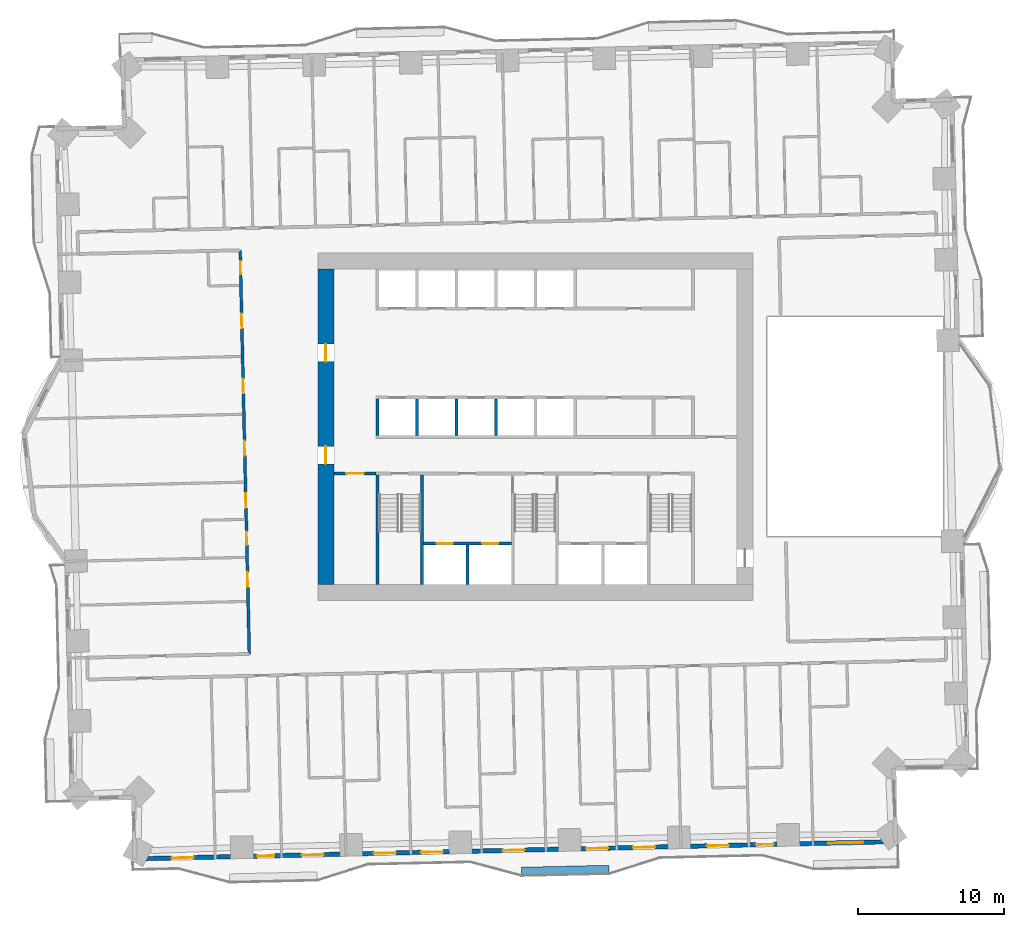
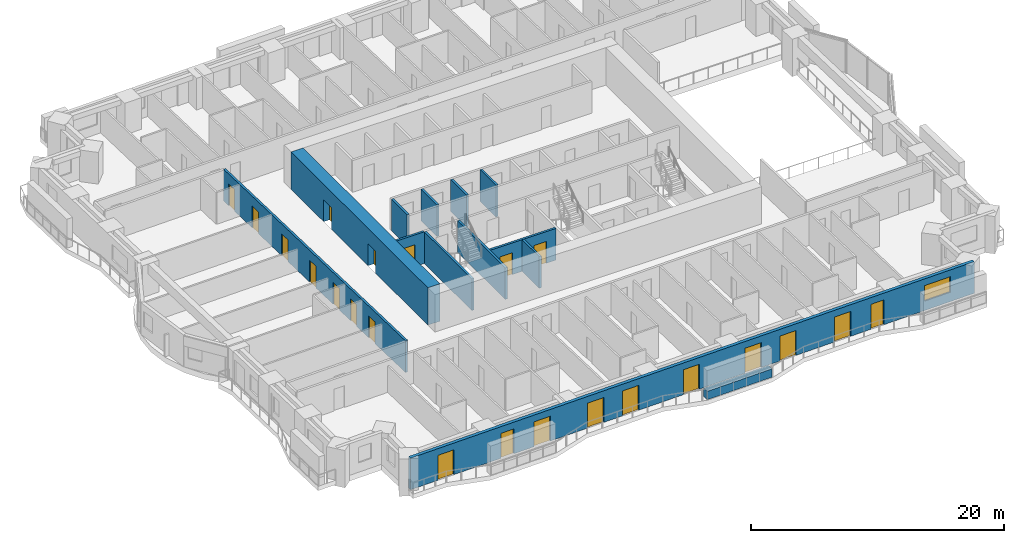
# One storey, part 6 of 16: 22 doors, 13 walls, 1 window, 23 openings.
"""IFC4 building model written with IfcOpenShell, lengths in metres."""

from ifc_helpers import new_model, si_unit, direction, frame, frame_2d, origin, place, context, subcontext, project, spatial, rectangle, extrude, material, layer, layer_set, type_object, element, fill, save


model = new_model("IFC4")

# Units and contexts
model_context = context("Model", 3, precision=1e-05, world=origin(), true_north=direction((0.0, 1.0)))
body_context = subcontext(model_context, "Body", "Model", "MODEL_VIEW")
ifc_project = project(units=[si_unit("LENGTHUNIT", "METRE"), si_unit("AREAUNIT", "SQUARE_METRE"), si_unit("VOLUMEUNIT", "CUBIC_METRE"), si_unit("PLANEANGLEUNIT", "RADIAN"), si_unit("MASSUNIT", "GRAM", prefix="KILO")], contexts=[model_context])

# Site, building, storey
site_placement = place(None, origin())
site = spatial("IfcSite", under=ifc_project, at=site_placement, CompositionType="ELEMENT")
building_placement = place(site_placement, origin())
building = spatial("IfcBuilding", under=site, at=building_placement, Name="Mangrove Gate Tower", CompositionType="ELEMENT")
storey_placement = place(building_placement, frame((0.0, 0.0, 34.10009765625)))
storey = spatial("IfcBuildingStorey", under=building, at=storey_placement, Name="L07", CompositionType="ELEMENT", Elevation=34.10009765625)

# Wall, opening, door
ifc_material_1 = material(Name="Concrete C32/40", Category="concrete")
ifc_layer_1 = layer(ifc_material_1, 0.199951171875)
ifc_layer_set_1 = layer_set([ifc_layer_1], Name="Core lobby wall 200 C32/40")
wall_type_1 = type_object("IfcWallType", Name="Core lobby wall 200 C32/40", PredefinedType="STANDARD", material=ifc_layer_set_1)
wall_1_placement = place(storey_placement, frame((-13.800048828125, -3.199951171875, 0.0), z_axis=(0.0, 0.0, 1.0), x_axis=(1.0, 0.0, 0.0)))
wall_1 = element("IfcWall", 1, at=wall_1_placement, inside=storey, type_object=wall_type_1, Name="WALL-L07-CORE-34", PredefinedType="STANDARD", context=body_context, shape_type="SweptSolid", body=[
    extrude(rectangle(XDim=2.900146484375, YDim=0.199951171875, at=frame_2d((1.4501953125, 0.0))), origin(), (0.0, 0.0, 1.0), 3.0498046875),
])
opening_1_placement = place(wall_1_placement, frame((0.85009765625, 0.0, 0.0)))
opening_1 = element("IfcOpeningElement", 2, at=opening_1_placement, cuts=wall_1, Name="Opening FL12", PredefinedType="OPENING", context=body_context, shape_type="SweptSolid", body=[
    extrude(rectangle(XDim=1.199951171875, YDim=2.10009765625, at=frame_2d((0.60009765625, 1.050048828125))), frame((0.0, 0.10986328125, 0.0), z_axis=(0.0, -1.0, 0.0), x_axis=(1.0, 0.0, 0.0)), (0.0, 0.0, 1.0), 0.219970703125),
])
ifc_material_2 = material(Name="Fire-rated steel door set", Category="steel")
door_type_1 = type_object("IfcDoorType", Name="Lobby door FD60 1200x2100", OperationType="SINGLE_SWING_LEFT", PredefinedType="DOOR", material=ifc_material_2)
door_1_placement = place(opening_1_placement, origin())
door_1 = element("IfcDoor", 3, at=door_1_placement, inside=storey, type_object=door_type_1, Name="Lobby door core corridor W partition", OperationType="SINGLE_SWING_LEFT", OverallHeight=2.10009765625, OverallWidth=1.199951171875, PredefinedType="DOOR", context=body_context, shape_type="SweptSolid", body=[
    extrude(rectangle(XDim=1.199951171875, YDim=2.10009765625, at=frame_2d((0.60009765625, 1.050048828125))), frame((0.0, 0.02490234375, 0.0), z_axis=(0.0, -1.0, 0.0), x_axis=(1.0, 0.0, 0.0)), (0.0, 0.0, 1.0), 0.050048828125),
])
fill(opening_1, door_1)

# Wall, openings, doors
ifc_material_3 = material(Name="Concrete C70/85", Category="concrete")
ifc_layer_2 = layer(ifc_material_3, 0.199951171875)
ifc_layer_set_2 = layer_set([ifc_layer_2], Name="Core shaft wall 200 C70/85")
wall_type_2 = type_object("IfcWallType", Name="Core shaft wall 200 C70/85", PredefinedType="SHEAR", material=ifc_layer_set_2)
wall_2_placement = place(storey_placement, frame((-7.64990234375, -8.0, 0.0), z_axis=(0.0, 0.0, 1.0), x_axis=(1.0, 0.0, 0.0)))
wall_2 = element("IfcWall", 4, at=wall_2_placement, inside=storey, type_object=wall_type_2, Name="WALL-L07-CORE-15", PredefinedType="SHEAR", context=body_context, shape_type="SweptSolid", body=[
    extrude(rectangle(XDim=6.0, YDim=0.199951171875, at=frame_2d((3.0, 0.0))), origin(), (0.0, 0.0, 1.0), 3.0498046875),
])
opening_2_placement = place(wall_2_placement, frame((0.89990234375, 0.0, 0.0)))
opening_2 = element("IfcOpeningElement", 5, at=opening_2_placement, cuts=wall_2, Name="Opening LD", PredefinedType="OPENING", context=body_context, shape_type="SweptSolid", body=[
    extrude(rectangle(XDim=1.10009765625, YDim=2.10009765625, at=frame_2d((0.550048828125, 1.050048828125))), frame((0.0, 0.10986328125, 0.0), z_axis=(0.0, -1.0, 0.0), x_axis=(1.0, 0.0, 0.0)), (0.0, 0.0, 1.0), 0.219970703125),
])
opening_3_placement = place(wall_2_placement, frame((4.0, 0.0, 0.0)))
opening_3 = element("IfcOpeningElement", 6, at=opening_3_placement, cuts=wall_2, Name="Opening LD", PredefinedType="OPENING", context=body_context, shape_type="SweptSolid", body=[
    extrude(rectangle(XDim=1.10009765625, YDim=2.10009765625, at=frame_2d((0.550048828125, 1.050048828125))), frame((0.0, 0.10986328125, 0.0), z_axis=(0.0, -1.0, 0.0), x_axis=(1.0, 0.0, 0.0)), (0.0, 0.0, 1.0), 0.219970703125),
])
ifc_material_4 = material(Name="Stainless steel 316", Category="steel")
door_type_2 = type_object("IfcDoorType", Name="Lift landing door 1100x2100", OperationType="SLIDING_TO_LEFT", PredefinedType="DOOR", material=ifc_material_4)
door_2_placement = place(opening_2_placement, origin())
door_2 = element("IfcDoor", 7, at=door_2_placement, inside=storey, type_object=door_type_2, Name="Landing door LD SVL1", OperationType="SLIDING_TO_LEFT", OverallHeight=2.10009765625, OverallWidth=1.10009765625, PredefinedType="DOOR", context=body_context, shape_type="SweptSolid", body=[
    extrude(rectangle(XDim=1.10009765625, YDim=2.10009765625, at=frame_2d((0.550048828125, 1.050048828125))), frame((0.0, 0.02490234375, 0.0), z_axis=(0.0, -1.0, 0.0), x_axis=(1.0, 0.0, 0.0)), (0.0, 0.0, 1.0), 0.050048828125),
])
fill(opening_2, door_2)
door_3_placement = place(opening_3_placement, origin())
door_3 = element("IfcDoor", 8, at=door_3_placement, inside=storey, type_object=door_type_2, Name="Landing door LD SVL2", OperationType="SLIDING_TO_LEFT", OverallHeight=2.10009765625, OverallWidth=1.10009765625, PredefinedType="DOOR", context=body_context, shape_type="SweptSolid", body=[
    extrude(rectangle(XDim=1.10009765625, YDim=2.10009765625, at=frame_2d((0.550048828125, 1.050048828125))), frame((0.0, 0.02490234375, 0.0), z_axis=(0.0, -1.0, 0.0), x_axis=(1.0, 0.0, 0.0)), (0.0, 0.0, 1.0), 0.050048828125),
])
fill(opening_3, door_3)

# Walls
wall_3_placement = place(storey_placement, frame((-4.64990234375, -10.800048828125, 0.0), z_axis=(0.0, 0.0, 1.0), x_axis=(0.0, 1.0, 0.0)))
element("IfcWall", 9, at=wall_3_placement, inside=storey, type_object=wall_type_2, Name="WALL-L07-CORE-16", PredefinedType="SHEAR", context=body_context, shape_type="SweptSolid", body=[
    extrude(rectangle(XDim=2.699951171875, YDim=0.199951171875, at=frame_2d((1.35009765625, 0.0))), origin(), (0.0, 0.0, 1.0), 3.0498046875),
])
for number, where, z_axis, x_axis, name in (
    (10, (-10.800048828125, -0.60009765625, 0.0), (0.0, 0.0, 1.0), (0.0, 1.0, 0.0), "WALL-L07-CORE-19"),
    (11, (-8.10009765625, -0.60009765625, 0.0), (0.0, 0.0, 1.0), (0.0, 1.0, 0.0), "WALL-L07-CORE-20"),
    (12, (-5.39990234375, -0.60009765625, 0.0), (0.0, 0.0, 1.0), (0.0, 1.0, 0.0), "WALL-L07-CORE-21"),
    (13, (-2.699951171875, -0.60009765625, 0.0), (0.0, 0.0, 1.0), (0.0, 1.0, 0.0), "WALL-L07-CORE-22"),
):
    element("IfcWall", number, at=place(storey_placement, frame(where, z_axis=z_axis, x_axis=x_axis)), inside=storey, type_object=wall_type_2, Name=name, PredefinedType="SHEAR", context=body_context, shape_type="SweptSolid", body=[
        extrude(rectangle(XDim=2.5, YDim=0.199951171875, at=frame_2d((1.25, 0.0))), origin(), (0.0, 0.0, 1.0), 3.0498046875),
    ])
ifc_material_5 = material(Name="Concrete C70/85", Category="concrete")
ifc_layer_3 = layer(ifc_material_5, 0.199951171875)
ifc_layer_set_3 = layer_set([ifc_layer_3], Name="Core stair wall 200 C70/85")
wall_type_3 = type_object("IfcWallType", Name="Core stair wall 200 C70/85", PredefinedType="SHEAR", material=ifc_layer_set_3)
for number, where, z_axis, x_axis, name in (
    (14, (-10.800048828125, -10.800048828125, 0.0), (0.0, 0.0, 1.0), (0.0, 1.0, 0.0), "WALL-L07-CORE-9"),
    (15, (-7.75, -10.800048828125, 0.0), (0.0, 0.0, 1.0), (0.0, 1.0, 0.0), "WALL-L07-CORE-10"),
):
    element("IfcWall", number, at=place(storey_placement, frame(where, z_axis=z_axis, x_axis=x_axis)), inside=storey, type_object=wall_type_3, Name=name, PredefinedType="SHEAR", context=body_context, shape_type="SweptSolid", body=[
        extrude(rectangle(XDim=7.5, YDim=0.199951171875, at=frame_2d((3.75, 0.0))), origin(), (0.0, 0.0, 1.0), 3.0498046875),
    ])

# Wall, openings, doors
ifc_material_6 = material(Name="Concrete C70/85", Category="concrete")
ifc_layer_4 = layer(ifc_material_6, 1.10009765625)
ifc_layer_set_4 = layer_set([ifc_layer_4], Name="Core wall 1100 C70/85")
wall_type_4 = type_object("IfcWallType", Name="Core wall 1100 C70/85", PredefinedType="SHEAR", material=ifc_layer_set_4)
wall_4_placement = place(storey_placement, frame((-14.35009765625, -10.800048828125, 0.0), z_axis=(0.0, 0.0, 1.0), x_axis=(0.0, 1.0, 0.0)))
wall_4 = element("IfcWall", 16, at=wall_4_placement, inside=storey, type_object=wall_type_4, Name="WALL-L07-CORE-3", PredefinedType="SHEAR", context=body_context, shape_type="SweptSolid", body=[
    extrude(rectangle(XDim=21.60009765625, YDim=1.10009765625, at=frame_2d((10.800048828125, 0.0))), origin(), (0.0, 0.0, 1.0), 3.599853515625),
])
opening_4_placement = place(wall_4_placement, frame((8.25, 0.0, 0.0)))
opening_4 = element("IfcOpeningElement", 17, at=opening_4_placement, cuts=wall_4, Name="Opening CD", PredefinedType="OPENING", context=body_context, shape_type="SweptSolid", body=[
    extrude(rectangle(XDim=1.199951171875, YDim=2.10009765625, at=frame_2d((0.60009765625, 1.050048828125))), frame((0.0, 0.56005859375, 0.0), z_axis=(0.0, -1.0, 0.0), x_axis=(1.0, 0.0, 0.0)), (0.0, 0.0, 1.0), 1.1201171875),
])
opening_5_placement = place(wall_4_placement, frame((15.25, 0.0, 0.0)))
opening_5 = element("IfcOpeningElement", 18, at=opening_5_placement, cuts=wall_4, Name="Opening CD", PredefinedType="OPENING", context=body_context, shape_type="SweptSolid", body=[
    extrude(rectangle(XDim=1.199951171875, YDim=2.10009765625, at=frame_2d((0.60009765625, 1.050048828125))), frame((0.0, 0.56005859375, 0.0), z_axis=(0.0, -1.0, 0.0), x_axis=(1.0, 0.0, 0.0)), (0.0, 0.0, 1.0), 1.1201171875),
])
ifc_material_7 = material(Name="Fire-rated steel door set", Category="steel")
door_type_3 = type_object("IfcDoorType", Name="Core ring door FD60 1200x2100", OperationType="DOUBLE_DOOR_SINGLE_SWING", PredefinedType="DOOR", material=ifc_material_7)
door_4_placement = place(opening_4_placement, origin())
door_4 = element("IfcDoor", 19, at=door_4_placement, inside=storey, type_object=door_type_3, Name="Core ring door W1", OperationType="DOUBLE_DOOR_SINGLE_SWING", OverallHeight=2.10009765625, OverallWidth=1.199951171875, PredefinedType="DOOR", context=body_context, shape_type="SweptSolid", body=[
    extrude(rectangle(XDim=1.199951171875, YDim=2.10009765625, at=frame_2d((0.60009765625, 1.050048828125))), frame((0.0, 0.02490234375, 0.0), z_axis=(0.0, -1.0, 0.0), x_axis=(1.0, 0.0, 0.0)), (0.0, 0.0, 1.0), 0.050048828125),
])
fill(opening_4, door_4)
door_5_placement = place(opening_5_placement, origin())
door_5 = element("IfcDoor", 20, at=door_5_placement, inside=storey, type_object=door_type_3, Name="Core ring door W2", OperationType="DOUBLE_DOOR_SINGLE_SWING", OverallHeight=2.10009765625, OverallWidth=1.199951171875, PredefinedType="DOOR", context=body_context, shape_type="SweptSolid", body=[
    extrude(rectangle(XDim=1.199951171875, YDim=2.10009765625, at=frame_2d((0.60009765625, 1.050048828125))), frame((0.0, 0.02490234375, 0.0), z_axis=(0.0, -1.0, 0.0), x_axis=(1.0, 0.0, 0.0)), (0.0, 0.0, 1.0), 0.050048828125),
])
fill(opening_5, door_5)

ifc_material_8 = material(Name="Gypsum board on steel stud, EI 60", Category="steel")
ifc_layer_5 = layer(ifc_material_8, 0.199951171875)
ifc_layer_set_5 = layer_set([ifc_layer_5], Name="Corridor wall EI 60")
wall_type_5 = type_object("IfcWallType", Name="Corridor wall EI 60", PredefinedType="PARTITIONING", material=ifc_layer_set_5)
wall_5_placement = place(storey_placement, frame((-19.589111328125, -15.56201171875, 0.0), z_axis=(0.0, 0.0, 1.0), x_axis=(-0.02267447203, 0.999742901109, 0.0)))
wall_5 = element("IfcWall", 21, at=wall_5_placement, inside=storey, type_object=wall_type_5, Name="WALL-L07-036", PredefinedType="PARTITIONING", context=body_context, shape_type="SweptSolid", body=[
    extrude(rectangle(XDim=27.650146484375, YDim=0.199951171875, at=frame_2d((13.8251953125, 0.0))), origin(), (0.0, 0.0, 1.0), 3.0498046875),
])
opening_6_placement = place(wall_5_placement, frame((22.31298828125, 0.0, 0.0)))
opening_6 = element("IfcOpeningElement", 22, at=opening_6_placement, cuts=wall_5, Name="Opening AD", PredefinedType="OPENING", context=body_context, shape_type="SweptSolid", body=[
    extrude(rectangle(XDim=1.0, YDim=2.10009765625, at=frame_2d((0.5, 1.050048828125))), frame((0.0, 0.10986328125, 0.0), z_axis=(0.0, -1.0, 0.0), x_axis=(1.0, 0.0, 0.0)), (0.0, 0.0, 1.0), 0.219970703125),
])
opening_7_placement = place(wall_5_placement, frame((26.0, 0.0, 0.0)))
opening_7 = element("IfcOpeningElement", 23, at=opening_7_placement, cuts=wall_5, Name="Opening SD", PredefinedType="OPENING", context=body_context, shape_type="SweptSolid", body=[
    extrude(rectangle(XDim=0.89990234375, YDim=2.10009765625, at=frame_2d((0.449951171875, 1.050048828125))), frame((0.0, 0.10986328125, 0.0), z_axis=(0.0, -1.0, 0.0), x_axis=(1.0, 0.0, 0.0)), (0.0, 0.0, 1.0), 0.219970703125),
])
opening_8_placement = place(wall_5_placement, frame((17.843017578125, 0.0, 0.0)))
opening_8 = element("IfcOpeningElement", 24, at=opening_8_placement, cuts=wall_5, Name="Opening AD", PredefinedType="OPENING", context=body_context, shape_type="SweptSolid", body=[
    extrude(rectangle(XDim=1.0, YDim=2.10009765625, at=frame_2d((0.5, 1.050048828125))), frame((0.0, 0.10986328125, 0.0), z_axis=(0.0, -1.0, 0.0), x_axis=(1.0, 0.0, 0.0)), (0.0, 0.0, 1.0), 0.219970703125),
])
opening_9_placement = place(wall_5_placement, frame((13.592041015625, 0.0, 0.0)))
opening_9 = element("IfcOpeningElement", 25, at=opening_9_placement, cuts=wall_5, Name="Opening AD", PredefinedType="OPENING", context=body_context, shape_type="SweptSolid", body=[
    extrude(rectangle(XDim=1.0, YDim=2.10009765625, at=frame_2d((0.5, 1.050048828125))), frame((0.0, 0.10986328125, 0.0), z_axis=(0.0, -1.0, 0.0), x_axis=(1.0, 0.0, 0.0)), (0.0, 0.0, 1.0), 0.219970703125),
])
opening_10_placement = place(wall_5_placement, frame((10.0, 0.0, 0.0)))
opening_10 = element("IfcOpeningElement", 26, at=opening_10_placement, cuts=wall_5, Name="Opening AD", PredefinedType="OPENING", context=body_context, shape_type="SweptSolid", body=[
    extrude(rectangle(XDim=1.0, YDim=2.10009765625, at=frame_2d((0.5, 1.050048828125))), frame((0.0, 0.10986328125, 0.0), z_axis=(0.0, -1.0, 0.0), x_axis=(1.0, 0.0, 0.0)), (0.0, 0.0, 1.0), 0.219970703125),
])
opening_11_placement = place(wall_5_placement, frame((7.47509765625, 0.0, 0.0)))
opening_11 = element("IfcOpeningElement", 27, at=opening_11_placement, cuts=wall_5, Name="Opening SD", PredefinedType="OPENING", context=body_context, shape_type="SweptSolid", body=[
    extrude(rectangle(XDim=0.89990234375, YDim=2.10009765625, at=frame_2d((0.449951171875, 1.050048828125))), frame((0.0, 0.10986328125, 0.0), z_axis=(0.0, -1.0, 0.0), x_axis=(1.0, 0.0, 0.0)), (0.0, 0.0, 1.0), 0.219970703125),
])
opening_12_placement = place(wall_5_placement, frame((4.613037109375, 0.0, 0.0)))
opening_12 = element("IfcOpeningElement", 28, at=opening_12_placement, cuts=wall_5, Name="Opening AD", PredefinedType="OPENING", context=body_context, shape_type="SweptSolid", body=[
    extrude(rectangle(XDim=1.0, YDim=2.10009765625, at=frame_2d((0.5, 1.050048828125))), frame((0.0, 0.10986328125, 0.0), z_axis=(0.0, -1.0, 0.0), x_axis=(1.0, 0.0, 0.0)), (0.0, 0.0, 1.0), 0.219970703125),
])
ifc_material_9 = material(Name="Timber door leaf", Category="wood")
door_type_4 = type_object("IfcDoorType", Name="Amenity door 1000", OperationType="SINGLE_SWING_LEFT", PredefinedType="DOOR", material=ifc_material_9)
door_6_placement = place(opening_6_placement, origin())
door_6 = element("IfcDoor", 29, at=door_6_placement, inside=storey, type_object=door_type_4, Name="DOOR-L07-GAM-c5b", OperationType="SINGLE_SWING_LEFT", OverallHeight=2.10009765625, OverallWidth=1.0, PredefinedType="DOOR", context=body_context, shape_type="SweptSolid", body=[
    extrude(rectangle(XDim=1.0, YDim=2.10009765625, at=frame_2d((0.5, 1.050048828125))), frame((0.0, 0.02490234375, 0.0), z_axis=(0.0, -1.0, 0.0), x_axis=(1.0, 0.0, 0.0)), (0.0, 0.0, 1.0), 0.050048828125),
])
fill(opening_6, door_6)
door_7_placement = place(opening_8_placement, origin())
door_7 = element("IfcDoor", 30, at=door_7_placement, inside=storey, type_object=door_type_4, Name="DOOR-L07-KIT-c5a", OperationType="SINGLE_SWING_RIGHT", OverallHeight=2.10009765625, OverallWidth=1.0, PredefinedType="DOOR", context=body_context, shape_type="SweptSolid", body=[
    extrude(rectangle(XDim=1.0, YDim=2.10009765625, at=frame_2d((0.5, 1.050048828125))), frame((0.0, 0.02490234375, 0.0), z_axis=(0.0, -1.0, 0.0), x_axis=(1.0, 0.0, 0.0)), (0.0, 0.0, 1.0), 0.050048828125),
])
fill(opening_8, door_7)
door_8_placement = place(opening_9_placement, origin())
door_8 = element("IfcDoor", 31, at=door_8_placement, inside=storey, type_object=door_type_4, Name="DOOR-L07-GAM-c5c", OperationType="SINGLE_SWING_LEFT", OverallHeight=2.10009765625, OverallWidth=1.0, PredefinedType="DOOR", context=body_context, shape_type="SweptSolid", body=[
    extrude(rectangle(XDim=1.0, YDim=2.10009765625, at=frame_2d((0.5, 1.050048828125))), frame((0.0, 0.02490234375, 0.0), z_axis=(0.0, -1.0, 0.0), x_axis=(1.0, 0.0, 0.0)), (0.0, 0.0, 1.0), 0.050048828125),
])
fill(opening_9, door_8)
door_9_placement = place(opening_10_placement, origin())
door_9 = element("IfcDoor", 32, at=door_9_placement, inside=storey, type_object=door_type_4, Name="DOOR-L07-GAM-c5d", OperationType="SINGLE_SWING_RIGHT", OverallHeight=2.10009765625, OverallWidth=1.0, PredefinedType="DOOR", context=body_context, shape_type="SweptSolid", body=[
    extrude(rectangle(XDim=1.0, YDim=2.10009765625, at=frame_2d((0.5, 1.050048828125))), frame((0.0, 0.02490234375, 0.0), z_axis=(0.0, -1.0, 0.0), x_axis=(1.0, 0.0, 0.0)), (0.0, 0.0, 1.0), 0.050048828125),
])
fill(opening_10, door_9)
door_10_placement = place(opening_12_placement, origin())
door_10 = element("IfcDoor", 33, at=door_10_placement, inside=storey, type_object=door_type_4, Name="DOOR-L07-STU-c5a", OperationType="SINGLE_SWING_LEFT", OverallHeight=2.10009765625, OverallWidth=1.0, PredefinedType="DOOR", context=body_context, shape_type="SweptSolid", body=[
    extrude(rectangle(XDim=1.0, YDim=2.10009765625, at=frame_2d((0.5, 1.050048828125))), frame((0.0, 0.02490234375, 0.0), z_axis=(0.0, -1.0, 0.0), x_axis=(1.0, 0.0, 0.0)), (0.0, 0.0, 1.0), 0.050048828125),
])
fill(opening_12, door_10)
ifc_material_10 = material(Name="Timber door leaf", Category="wood")
door_type_5 = type_object("IfcDoorType", Name="Service room door 900", OperationType="SINGLE_SWING_LEFT", PredefinedType="DOOR", material=ifc_material_10)
door_11_placement = place(opening_7_placement, origin())
door_11 = element("IfcDoor", 34, at=door_11_placement, inside=storey, type_object=door_type_5, Name="DOOR-L07-LIN-c5b", OperationType="SINGLE_SWING_RIGHT", OverallHeight=2.10009765625, OverallWidth=0.89990234375, PredefinedType="DOOR", context=body_context, shape_type="SweptSolid", body=[
    extrude(rectangle(XDim=0.89990234375, YDim=2.10009765625, at=frame_2d((0.449951171875, 1.050048828125))), frame((0.0, 0.02490234375, 0.0), z_axis=(0.0, -1.0, 0.0), x_axis=(1.0, 0.0, 0.0)), (0.0, 0.0, 1.0), 0.050048828125),
])
fill(opening_7, door_11)
door_12_placement = place(opening_11_placement, origin())
door_12 = element("IfcDoor", 35, at=door_12_placement, inside=storey, type_object=door_type_5, Name="DOOR-L07-AWC-c5a", OperationType="SINGLE_SWING_LEFT", OverallHeight=2.10009765625, OverallWidth=0.89990234375, PredefinedType="DOOR", context=body_context, shape_type="SweptSolid", body=[
    extrude(rectangle(XDim=0.89990234375, YDim=2.10009765625, at=frame_2d((0.449951171875, 1.050048828125))), frame((0.0, 0.02490234375, 0.0), z_axis=(0.0, -1.0, 0.0), x_axis=(1.0, 0.0, 0.0)), (0.0, 0.0, 1.0), 0.050048828125),
])
fill(opening_11, door_12)

# Wall, openings, doors, window
ifc_material_11 = material(Name="Limestone", Category="masonry")
ifc_layer_6 = layer(ifc_material_11, 0.0400390625, Name="Limestone cladding")
ifc_material_12 = material(Name="Ventilated air gap")
ifc_layer_7 = layer(ifc_material_12, 0.0400390625, Name="Ventilated cavity")
ifc_material_13 = material(Name="Mineral wool insulation")
ifc_layer_8 = layer(ifc_material_13, 0.06005859375, Name="Insulation")
ifc_material_14 = material(Name="Breather membrane")
ifc_layer_9 = layer(ifc_material_14, 0.001953125, Name="Breather membrane")
ifc_material_15 = material(Name="Concrete C20/25 blockwork", Category="masonry")
ifc_layer_10 = layer(ifc_material_15, 0.14990234375, Name="Blockwork backing wall")
ifc_material_16 = material(Name="Gypsum plaster")
ifc_layer_11 = layer(ifc_material_16, 0.008056640625, Name="Internal plaster")
ifc_layer_set_6 = layer_set([ifc_layer_6, ifc_layer_7, ifc_layer_8, ifc_layer_9, ifc_layer_10, ifc_layer_11], Name="External wall 300 limestone cladding")
wall_type_6 = type_object("IfcWallType", Name="External wall 300 limestone cladding", PredefinedType="SOLIDWALL", material=ifc_layer_set_6)
wall_6_placement = place(storey_placement, frame((-27.423095703125, -29.593017578125, 0.0), z_axis=(0.0, 0.0, 1.0), x_axis=(0.999742563204, 0.022689365739, 0.0)))
wall_6 = element("IfcWall", 36, at=wall_6_placement, inside=storey, type_object=wall_type_6, Name="WALL-L07-S13", PredefinedType="SOLIDWALL", context=body_context, shape_type="SweptSolid", body=[
    extrude(rectangle(XDim=52.1005859375, YDim=0.300048828125, at=frame_2d((26.05029296875, 0.0))), origin(), (0.0, 0.0, 1.0), 3.0498046875),
])
opening_13_placement = place(wall_6_placement, frame((2.51708984375, 0.0, 0.0)))
opening_13 = element("IfcOpeningElement", 37, at=opening_13_placement, cuts=wall_6, Name="Opening BD1", PredefinedType="OPENING", context=body_context, shape_type="SweptSolid", body=[
    extrude(rectangle(XDim=1.5, YDim=2.39990234375, at=frame_2d((0.75, 1.199951171875))), frame((0.0, 0.159912109375, 0.0), z_axis=(0.0, -1.0, 0.0), x_axis=(1.0, 0.0, 0.0)), (0.0, 0.0, 1.0), 0.320068359375),
])
opening_14_placement = place(wall_6_placement, frame((8.35595703125, 0.0, 0.0)))
opening_14 = element("IfcOpeningElement", 38, at=opening_14_placement, cuts=wall_6, Name="Opening BD2", PredefinedType="OPENING", context=body_context, shape_type="SweptSolid", body=[
    extrude(rectangle(XDim=1.199951171875, YDim=2.39990234375, at=frame_2d((0.60009765625, 1.199951171875))), frame((0.0, 0.159912109375, 0.0), z_axis=(0.0, -1.0, 0.0), x_axis=(1.0, 0.0, 0.0)), (0.0, 0.0, 1.0), 0.320068359375),
])
opening_15_placement = place(wall_6_placement, frame((11.423095703125, 0.0, 0.0)))
opening_15 = element("IfcOpeningElement", 39, at=opening_15_placement, cuts=wall_6, Name="Opening BD1", PredefinedType="OPENING", context=body_context, shape_type="SweptSolid", body=[
    extrude(rectangle(XDim=1.5, YDim=2.39990234375, at=frame_2d((0.75, 1.199951171875))), frame((0.0, 0.159912109375, 0.0), z_axis=(0.0, -1.0, 0.0), x_axis=(1.0, 0.0, 0.0)), (0.0, 0.0, 1.0), 0.320068359375),
])
opening_16_placement = place(wall_6_placement, frame((16.373046875, 0.0, 0.0)))
opening_16 = element("IfcOpeningElement", 40, at=opening_16_placement, cuts=wall_6, Name="Opening BD1", PredefinedType="OPENING", context=body_context, shape_type="SweptSolid", body=[
    extrude(rectangle(XDim=1.5, YDim=2.39990234375, at=frame_2d((0.75, 1.199951171875))), frame((0.0, 0.159912109375, 0.0), z_axis=(0.0, -1.0, 0.0), x_axis=(1.0, 0.0, 0.0)), (0.0, 0.0, 1.0), 0.320068359375),
])
opening_17_placement = place(wall_6_placement, frame((19.591064453125, 0.0, 0.0)))
opening_17 = element("IfcOpeningElement", 41, at=opening_17_placement, cuts=wall_6, Name="Opening BD1", PredefinedType="OPENING", context=body_context, shape_type="SweptSolid", body=[
    extrude(rectangle(XDim=1.5, YDim=2.39990234375, at=frame_2d((0.75, 1.199951171875))), frame((0.0, 0.159912109375, 0.0), z_axis=(0.0, -1.0, 0.0), x_axis=(1.0, 0.0, 0.0)), (0.0, 0.0, 1.0), 0.320068359375),
])
opening_18_placement = place(wall_6_placement, frame((25.199951171875, 0.0, 0.0)))
opening_18 = element("IfcOpeningElement", 42, at=opening_18_placement, cuts=wall_6, Name="Opening BD1", PredefinedType="OPENING", context=body_context, shape_type="SweptSolid", body=[
    extrude(rectangle(XDim=1.5, YDim=2.39990234375, at=frame_2d((0.75, 1.199951171875))), frame((0.0, 0.159912109375, 0.0), z_axis=(0.0, -1.0, 0.0), x_axis=(1.0, 0.0, 0.0)), (0.0, 0.0, 1.0), 0.320068359375),
])
opening_19_placement = place(wall_6_placement, frame((30.908935546875, 0.0, 0.0)))
opening_19 = element("IfcOpeningElement", 43, at=opening_19_placement, cuts=wall_6, Name="Opening BD1", PredefinedType="OPENING", context=body_context, shape_type="SweptSolid", body=[
    extrude(rectangle(XDim=1.5, YDim=2.39990234375, at=frame_2d((0.75, 1.199951171875))), frame((0.0, 0.159912109375, 0.0), z_axis=(0.0, -1.0, 0.0), x_axis=(1.0, 0.0, 0.0)), (0.0, 0.0, 1.0), 0.320068359375),
])
opening_20_placement = place(wall_6_placement, frame((34.126953125, 0.0, 0.0)))
opening_20 = element("IfcOpeningElement", 44, at=opening_20_placement, cuts=wall_6, Name="Opening BD1", PredefinedType="OPENING", context=body_context, shape_type="SweptSolid", body=[
    extrude(rectangle(XDim=1.5, YDim=2.39990234375, at=frame_2d((0.75, 1.199951171875))), frame((0.0, 0.159912109375, 0.0), z_axis=(0.0, -1.0, 0.0), x_axis=(1.0, 0.0, 0.0)), (0.0, 0.0, 1.0), 0.320068359375),
])
opening_21_placement = place(wall_6_placement, frame((39.177001953125, 0.0, 0.0)))
opening_21 = element("IfcOpeningElement", 45, at=opening_21_placement, cuts=wall_6, Name="Opening BD1", PredefinedType="OPENING", context=body_context, shape_type="SweptSolid", body=[
    extrude(rectangle(XDim=1.5, YDim=2.39990234375, at=frame_2d((0.75, 1.199951171875))), frame((0.0, 0.159912109375, 0.0), z_axis=(0.0, -1.0, 0.0), x_axis=(1.0, 0.0, 0.0)), (0.0, 0.0, 1.0), 0.320068359375),
])
opening_22_placement = place(wall_6_placement, frame((42.5439453125, 0.0, 0.0)))
opening_22 = element("IfcOpeningElement", 46, at=opening_22_placement, cuts=wall_6, Name="Opening BD2", PredefinedType="OPENING", context=body_context, shape_type="SweptSolid", body=[
    extrude(rectangle(XDim=1.199951171875, YDim=2.39990234375, at=frame_2d((0.60009765625, 1.199951171875))), frame((0.0, 0.159912109375, 0.0), z_axis=(0.0, -1.0, 0.0), x_axis=(1.0, 0.0, 0.0)), (0.0, 0.0, 1.0), 0.320068359375),
])
opening_23_placement = place(wall_6_placement, frame((47.4970703125, 0.0, 0.89990234375)))
opening_23 = element("IfcOpeningElement", 47, at=opening_23_placement, cuts=wall_6, Name="Opening W2", PredefinedType="OPENING", context=body_context, shape_type="SweptSolid", body=[
    extrude(rectangle(XDim=2.39990234375, YDim=1.5, at=frame_2d((1.199951171875, 0.75))), frame((0.0, 0.159912109375, 0.0), z_axis=(0.0, -1.0, 0.0), x_axis=(1.0, 0.0, 0.0)), (0.0, 0.0, 1.0), 0.320068359375),
])
ifc_material_17 = material(Name="Aluminium frame with laminated clear glass", Category="aluminium")
door_type_6 = type_object("IfcDoorType", Name="Balcony sliding door 1200x2400", OperationType="SLIDING_TO_LEFT", PredefinedType="DOOR", material=ifc_material_17)
door_13_placement = place(opening_14_placement, origin())
door_13 = element("IfcDoor", 48, at=door_13_placement, inside=storey, type_object=door_type_6, Name="DOOR-L07-S13-2", OperationType="SLIDING_TO_LEFT", OverallHeight=2.39990234375, OverallWidth=1.199951171875, PredefinedType="DOOR", context=body_context, shape_type="SweptSolid", body=[
    extrude(rectangle(XDim=1.199951171875, YDim=2.39990234375, at=frame_2d((0.60009765625, 1.199951171875))), frame((0.0, 0.02490234375, 0.0), z_axis=(0.0, -1.0, 0.0), x_axis=(1.0, 0.0, 0.0)), (0.0, 0.0, 1.0), 0.050048828125),
])
fill(opening_14, door_13)
door_14_placement = place(opening_22_placement, origin())
door_14 = element("IfcDoor", 49, at=door_14_placement, inside=storey, type_object=door_type_6, Name="DOOR-L07-S13-10", OperationType="SLIDING_TO_LEFT", OverallHeight=2.39990234375, OverallWidth=1.199951171875, PredefinedType="DOOR", context=body_context, shape_type="SweptSolid", body=[
    extrude(rectangle(XDim=1.199951171875, YDim=2.39990234375, at=frame_2d((0.60009765625, 1.199951171875))), frame((0.0, 0.02490234375, 0.0), z_axis=(0.0, -1.0, 0.0), x_axis=(1.0, 0.0, 0.0)), (0.0, 0.0, 1.0), 0.050048828125),
])
fill(opening_22, door_14)
ifc_material_18 = material(Name="Aluminium frame with laminated clear glass", Category="aluminium")
door_type_7 = type_object("IfcDoorType", Name="Balcony sliding door 1500x2400", OperationType="SLIDING_TO_LEFT", PredefinedType="DOOR", material=ifc_material_18)
door_15_placement = place(opening_13_placement, origin())
door_15 = element("IfcDoor", 50, at=door_15_placement, inside=storey, type_object=door_type_7, Name="DOOR-L07-S13-1", OperationType="SLIDING_TO_LEFT", OverallHeight=2.39990234375, OverallWidth=1.5, PredefinedType="DOOR", context=body_context, shape_type="SweptSolid", body=[
    extrude(rectangle(XDim=1.5, YDim=2.39990234375, at=frame_2d((0.75, 1.199951171875))), frame((0.0, 0.02490234375, 0.0), z_axis=(0.0, -1.0, 0.0), x_axis=(1.0, 0.0, 0.0)), (0.0, 0.0, 1.0), 0.050048828125),
])
fill(opening_13, door_15)
door_16_placement = place(opening_15_placement, origin())
door_16 = element("IfcDoor", 51, at=door_16_placement, inside=storey, type_object=door_type_7, Name="DOOR-L07-S13-3", OperationType="SLIDING_TO_LEFT", OverallHeight=2.39990234375, OverallWidth=1.5, PredefinedType="DOOR", context=body_context, shape_type="SweptSolid", body=[
    extrude(rectangle(XDim=1.5, YDim=2.39990234375, at=frame_2d((0.75, 1.199951171875))), frame((0.0, 0.02490234375, 0.0), z_axis=(0.0, -1.0, 0.0), x_axis=(1.0, 0.0, 0.0)), (0.0, 0.0, 1.0), 0.050048828125),
])
fill(opening_15, door_16)
door_17_placement = place(opening_16_placement, origin())
door_17 = element("IfcDoor", 52, at=door_17_placement, inside=storey, type_object=door_type_7, Name="DOOR-L07-S13-4", OperationType="SLIDING_TO_LEFT", OverallHeight=2.39990234375, OverallWidth=1.5, PredefinedType="DOOR", context=body_context, shape_type="SweptSolid", body=[
    extrude(rectangle(XDim=1.5, YDim=2.39990234375, at=frame_2d((0.75, 1.199951171875))), frame((0.0, 0.02490234375, 0.0), z_axis=(0.0, -1.0, 0.0), x_axis=(1.0, 0.0, 0.0)), (0.0, 0.0, 1.0), 0.050048828125),
])
fill(opening_16, door_17)
door_18_placement = place(opening_17_placement, origin())
door_18 = element("IfcDoor", 53, at=door_18_placement, inside=storey, type_object=door_type_7, Name="DOOR-L07-S13-5", OperationType="SLIDING_TO_LEFT", OverallHeight=2.39990234375, OverallWidth=1.5, PredefinedType="DOOR", context=body_context, shape_type="SweptSolid", body=[
    extrude(rectangle(XDim=1.5, YDim=2.39990234375, at=frame_2d((0.75, 1.199951171875))), frame((0.0, 0.02490234375, 0.0), z_axis=(0.0, -1.0, 0.0), x_axis=(1.0, 0.0, 0.0)), (0.0, 0.0, 1.0), 0.050048828125),
])
fill(opening_17, door_18)
door_19_placement = place(opening_18_placement, origin())
door_19 = element("IfcDoor", 54, at=door_19_placement, inside=storey, type_object=door_type_7, Name="DOOR-L07-S13-6", OperationType="SLIDING_TO_LEFT", OverallHeight=2.39990234375, OverallWidth=1.5, PredefinedType="DOOR", context=body_context, shape_type="SweptSolid", body=[
    extrude(rectangle(XDim=1.5, YDim=2.39990234375, at=frame_2d((0.75, 1.199951171875))), frame((0.0, 0.02490234375, 0.0), z_axis=(0.0, -1.0, 0.0), x_axis=(1.0, 0.0, 0.0)), (0.0, 0.0, 1.0), 0.050048828125),
])
fill(opening_18, door_19)
door_20_placement = place(opening_19_placement, origin())
door_20 = element("IfcDoor", 55, at=door_20_placement, inside=storey, type_object=door_type_7, Name="DOOR-L07-S13-7", OperationType="SLIDING_TO_LEFT", OverallHeight=2.39990234375, OverallWidth=1.5, PredefinedType="DOOR", context=body_context, shape_type="SweptSolid", body=[
    extrude(rectangle(XDim=1.5, YDim=2.39990234375, at=frame_2d((0.75, 1.199951171875))), frame((0.0, 0.02490234375, 0.0), z_axis=(0.0, -1.0, 0.0), x_axis=(1.0, 0.0, 0.0)), (0.0, 0.0, 1.0), 0.050048828125),
])
fill(opening_19, door_20)
door_21_placement = place(opening_20_placement, origin())
door_21 = element("IfcDoor", 56, at=door_21_placement, inside=storey, type_object=door_type_7, Name="DOOR-L07-S13-8", OperationType="SLIDING_TO_LEFT", OverallHeight=2.39990234375, OverallWidth=1.5, PredefinedType="DOOR", context=body_context, shape_type="SweptSolid", body=[
    extrude(rectangle(XDim=1.5, YDim=2.39990234375, at=frame_2d((0.75, 1.199951171875))), frame((0.0, 0.02490234375, 0.0), z_axis=(0.0, -1.0, 0.0), x_axis=(1.0, 0.0, 0.0)), (0.0, 0.0, 1.0), 0.050048828125),
])
fill(opening_20, door_21)
door_22_placement = place(opening_21_placement, origin())
door_22 = element("IfcDoor", 57, at=door_22_placement, inside=storey, type_object=door_type_7, Name="DOOR-L07-S13-9", OperationType="SLIDING_TO_LEFT", OverallHeight=2.39990234375, OverallWidth=1.5, PredefinedType="DOOR", context=body_context, shape_type="SweptSolid", body=[
    extrude(rectangle(XDim=1.5, YDim=2.39990234375, at=frame_2d((0.75, 1.199951171875))), frame((0.0, 0.02490234375, 0.0), z_axis=(0.0, -1.0, 0.0), x_axis=(1.0, 0.0, 0.0)), (0.0, 0.0, 1.0), 0.050048828125),
])
fill(opening_21, door_22)
ifc_material_19 = material(Name="Aluminium frame with double-glazed low-e glass", Category="aluminium")
window_type = type_object("IfcWindowType", Name="Corner room window 2400x1500", PartitioningType="DOUBLE_PANEL_VERTICAL", PredefinedType="WINDOW", material=ifc_material_19)
window_placement = place(opening_23_placement, origin())
window = element("IfcWindow", 58, at=window_placement, inside=storey, type_object=window_type, Name="WIN-L07-S13-11", OverallHeight=1.5, OverallWidth=2.39990234375, PartitioningType="DOUBLE_PANEL_VERTICAL", PredefinedType="WINDOW", context=body_context, shape_type="SweptSolid", body=[
    extrude(rectangle(XDim=2.39990234375, YDim=1.5, at=frame_2d((1.199951171875, 0.75))), frame((0.0, 0.030029296875, 0.0), z_axis=(0.0, -1.0, 0.0), x_axis=(1.0, 0.0, 0.0)), (0.0, 0.0, 1.0), 0.06005859375),
])
fill(opening_23, window)

# Wall
ifc_material_20 = material(Name="Concrete C32/40", Category="concrete")
ifc_layer_12 = layer(ifc_material_20, 0.199951171875, Name="Planter trough wall")
ifc_material_21 = material(Name="Bituminous waterproofing membrane")
ifc_layer_13 = layer(ifc_material_21, 0.0048828125, Name="Waterproofing")
ifc_material_22 = material(Name="Drainage board and gravel")
ifc_layer_14 = layer(ifc_material_22, 0.044921875, Name="Drainage layer")
ifc_material_23 = material(Name="Planting soil")
ifc_layer_15 = layer(ifc_material_23, 0.300048828125, Name="Growing medium")
ifc_layer_set_7 = layer_set([ifc_layer_12, ifc_layer_13, ifc_layer_14, ifc_layer_15], Name="Planter wall 550 C32/40")
wall_type_7 = type_object("IfcWallType", Name="Planter wall 550 C32/40", PredefinedType="USERDEFINED", material=ifc_layer_set_7)
wall_7_placement = place(storey_placement, frame((-0.947021484375, -30.44189453125, 0.0), z_axis=(0.0, 0.0, 1.0), x_axis=(0.999743094499, 0.022665943652, 0.0)))
element("IfcWall", 59, at=wall_7_placement, inside=storey, type_object=wall_type_7, Name="PLANTER L07 S1.1", ObjectType="PLANTER", PredefinedType="USERDEFINED", context=body_context, shape_type="SweptSolid", body=[
    extrude(rectangle(XDim=5.99951171875, YDim=0.550048828125, at=frame_2d((2.999755859375, 0.0))), origin(), (0.0, 0.0, 1.0), 0.7998046875),
])

save(model, "model.ifc")
